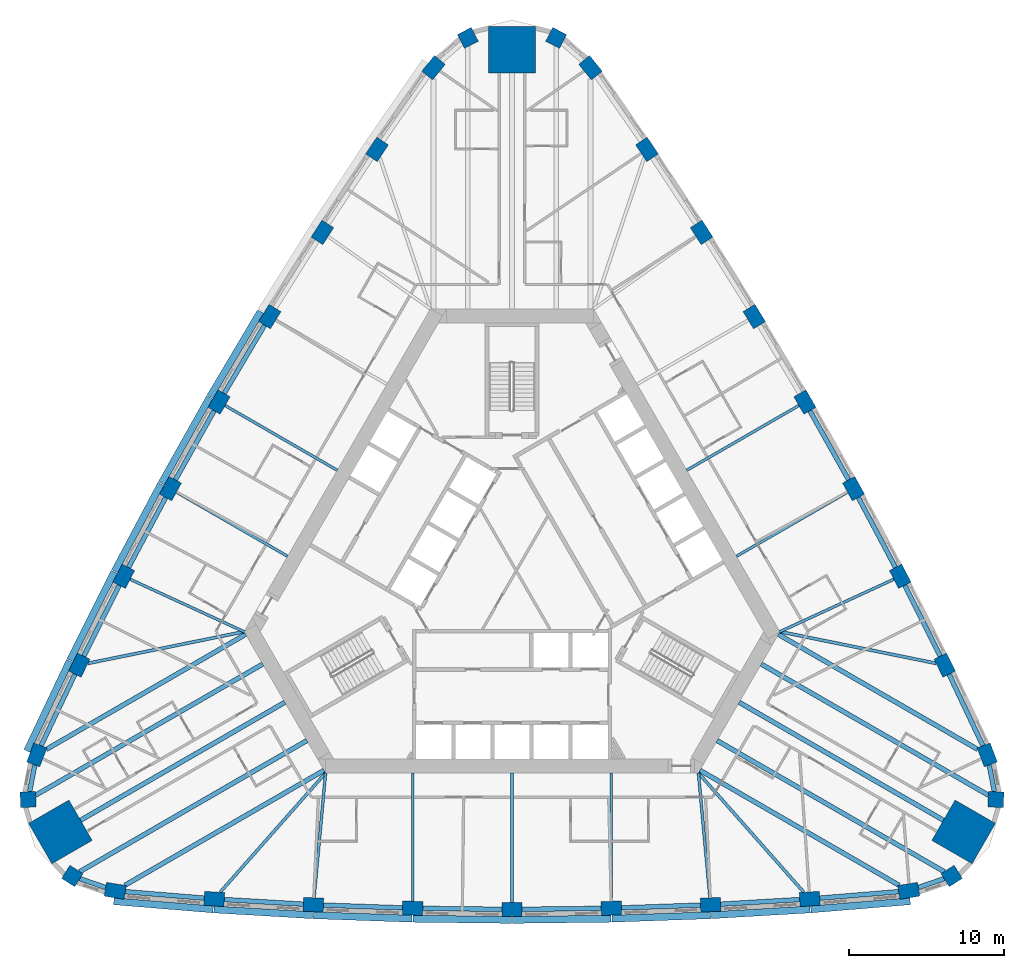
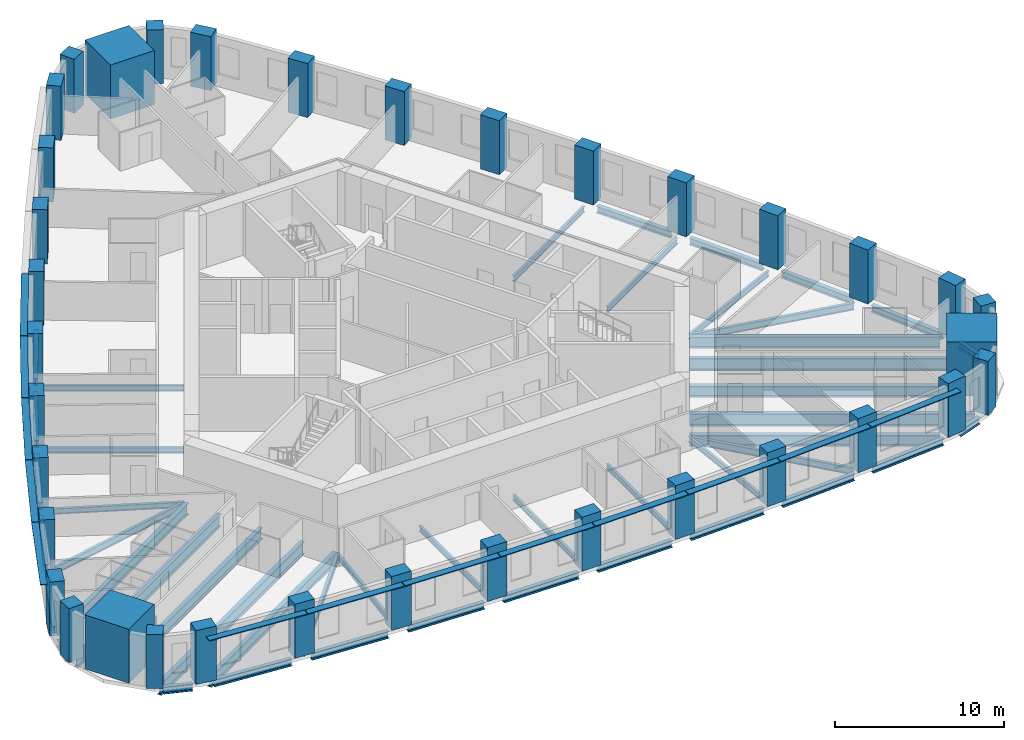
# One storey, part 1 of 12: 46 beams, 36 columns, 13 members.
"""IFC4 building model written with IfcOpenShell, lengths in metres."""

from ifc_helpers import new_model, si_unit, direction, frame, origin, origin_2d, place, context, subcontext, project, spatial, rectangle, i_section, extrude, material, material_profile, profile_set, type_object, element, save


model = new_model("IFC4")

# Units and contexts
model_context = context("Model", 3, precision=1e-05, world=origin(), true_north=direction((0.0, 1.0)))
body_context = subcontext(model_context, "Body", "Model", "MODEL_VIEW")
ifc_project = project(units=[si_unit("LENGTHUNIT", "METRE"), si_unit("AREAUNIT", "SQUARE_METRE"), si_unit("VOLUMEUNIT", "CUBIC_METRE"), si_unit("PLANEANGLEUNIT", "RADIAN"), si_unit("MASSUNIT", "GRAM", prefix="KILO")], contexts=[model_context])

# Site, building, storey
site_placement = place(None, origin())
site = spatial("IfcSite", under=ifc_project, at=site_placement, CompositionType="ELEMENT")
building_placement = place(site_placement, origin())
building = spatial("IfcBuilding", under=site, at=building_placement, Name="Mestral Congress Tower", CompositionType="ELEMENT")
storey_placement = place(building_placement, frame((0.0, 0.0, 118.800048828125)))
storey = spatial("IfcBuildingStorey", under=building, at=storey_placement, Name="L28", CompositionType="ELEMENT", Elevation=118.800048828125)

# Columns
ifc_material_1 = material(Name="Concrete C70/85", Category="concrete")
ifc_material_profile_1 = material_profile(ifc_material_1, rectangle(XDim=1.0, YDim=1.0, at=origin_2d()), Name="RC 1000x1000")
ifc_profile_set_1 = profile_set([ifc_material_profile_1], Name="Concrete C70/85")
column_type_1 = type_object("IfcColumnType", Name="Column RC 1000x1000 C70/85", PredefinedType="COLUMN", material=ifc_profile_set_1)
for number, where, z_axis, x_axis, name in (
    (1, (28.331298828125, -19.642822265625, 0.0), (0.0, 0.0, 1.0), (0.841700252504, 0.53994507585, 0.0), "COL-L28-C2-SE1"),
    (2, (31.1767578125, -14.714111328125, 0.0), (0.0, 0.0, 1.0), (0.046756026083, 0.998906338965, 0.0), "COL-L28-C2-SE3"),
    (3, (2.845703125, 34.35693359375, 0.0), (0.0, 0.0, 1.0), (-0.888456278587, 0.458961263115, 0.0), "COL-L28-C2-N1"),
    (4, (-2.845703125, 34.35693359375, 0.0), (0.0, 0.0, 1.0), (-0.888456278587, -0.458961263115, 0.0), "COL-L28-C2-N3"),
    (5, (-31.1767578125, -14.714111328125, 0.0), (0.0, 0.0, 1.0), (0.046756026083, -0.998906338965, 0.0), "COL-L28-C2-SW1"),
    (6, (-28.331298828125, -19.642822265625, 0.0), (0.0, 0.0, 1.0), (0.841700252504, -0.53994507585, 0.0), "COL-L28-C2-SW3"),
):
    element("IfcColumn", number, at=place(storey_placement, frame(where, z_axis=z_axis, x_axis=x_axis)), inside=storey, type_object=column_type_1, Name=name, PredefinedType="COLUMN", context=body_context, shape_type="SweptSolid", body=[
        extrude(rectangle(XDim=1.0, YDim=1.0, at=origin_2d()), origin(), (0.0, 0.0, 1.0), 3.89990234375),
    ])
ifc_material_profile_2 = material_profile(ifc_material_1, rectangle(XDim=1.300048828125, YDim=0.89990234375, at=origin_2d()), Name="RC 1300x900")
ifc_profile_set_2 = profile_set([ifc_material_profile_2], Name="Concrete C70/85")
column_type_2 = type_object("IfcColumnType", Name="Column RC 1300x900 C70/85", PredefinedType="COLUMN", material=ifc_profile_set_2)
for number, where, z_axis, x_axis, name in (
    (7, (-25.562744140625, -20.59716796875, 0.0), (0.0, 0.0, 1.0), (0.987202314361, -0.159472851987, 0.0), "COL-L28-C2-S00"),
    (8, (-19.184326171875, -21.120361328125, 0.0), (0.0, 0.0, 1.0), (0.997539884588, -0.07010120296, 0.0), "COL-L28-C2-S01"),
    (9, (-12.79541015625, -21.494384765625, 0.0), (0.0, 0.0, 1.0), (0.998906338965, -0.046756026083, 0.0), "COL-L28-C2-S02"),
    (10, (-6.3994140625, -21.71875, 0.0), (0.0, 0.0, 1.0), (0.99972656776, -0.023383535144, 0.0), "COL-L28-C2-S03"),
    (11, (0.0, -21.793701171875, 0.0), (0.0, 0.0, 1.0), (1.0, 0.0, 0.0), "COL-L28-C2-S04"),
    (12, (6.3994140625, -21.71875, 0.0), (0.0, 0.0, 1.0), (0.99972656776, 0.023383535144, 0.0), "COL-L28-C2-S05"),
    (13, (12.79541015625, -21.494384765625, 0.0), (0.0, 0.0, 1.0), (0.998906338965, 0.046756026083, 0.0), "COL-L28-C2-S06"),
    (14, (19.184326171875, -21.120361328125, 0.0), (0.0, 0.0, 1.0), (0.997539884588, 0.07010120296, 0.0), "COL-L28-C2-S07"),
    (15, (25.562744140625, -20.59716796875, 0.0), (0.0, 0.0, 1.0), (0.987202314361, 0.159472851987, 0.0), "COL-L28-C2-S08"),
    (16, (30.618896484375, -11.83935546875, 0.0), (0.0, 0.0, 1.0), (-0.355493616145, 0.934678708905, 0.0), "COL-L28-C2-E00"),
    (17, (27.8828125, -6.0537109375, 0.0), (0.0, 0.0, 1.0), (-0.438060519695, 0.898945482821, 0.0), "COL-L28-C2-E01"),
    (18, (25.01220703125, -0.333984375, 0.0), (0.0, 0.0, 1.0), (-0.458961263115, 0.888456278587, 0.0), "COL-L28-C2-E02"),
    (19, (22.0087890625, 5.3173828125, 0.0), (0.0, 0.0, 1.0), (-0.479612548415, 0.87748037209, 0.0), "COL-L28-C2-E03"),
    (20, (18.873779296875, 10.896728515625, 0.0), (0.0, 0.0, 1.0), (-0.5, 0.866025403784, 0.0), "COL-L28-C2-E04"),
    (21, (15.609375, 16.401611328125, 0.0), (0.0, 0.0, 1.0), (-0.520114019344, 0.854096836946, 0.0), "COL-L28-C2-E05"),
    (22, (12.217041015625, 21.828369140625, 0.0), (0.0, 0.0, 1.0), (-0.53994507585, 0.841700252504, 0.0), "COL-L28-C2-E06"),
    (23, (8.69873046875, 27.17431640625, 0.0), (0.0, 0.0, 1.0), (-0.559479364893, 0.828844279861, 0.0), "COL-L28-C2-E07"),
    (24, (5.056396484375, 32.4365234375, 0.0), (0.0, 0.0, 1.0), (-0.631708698215, 0.775205856918, 0.0), "COL-L28-C2-E08"),
    (25, (-5.056396484375, 32.4365234375, 0.0), (0.0, 0.0, 1.0), (-0.631708698215, -0.775205856918, 0.0), "COL-L28-C2-W00"),
    (26, (-8.69873046875, 27.17431640625, 0.0), (0.0, 0.0, 1.0), (-0.559479364893, -0.828844279861, 0.0), "COL-L28-C2-W01"),
    (27, (-12.217041015625, 21.828369140625, 0.0), (0.0, 0.0, 1.0), (-0.53994507585, -0.841700252504, 0.0), "COL-L28-C2-W02"),
    (28, (-15.609375, 16.401611328125, 0.0), (0.0, 0.0, 1.0), (-0.520114019344, -0.854096836946, 0.0), "COL-L28-C2-W03"),
    (29, (-18.873779296875, 10.896728515625, 0.0), (0.0, 0.0, 1.0), (-0.5, -0.866025403784, 0.0), "COL-L28-C2-W04"),
    (30, (-22.0087890625, 5.3173828125, 0.0), (0.0, 0.0, 1.0), (-0.479612548415, -0.87748037209, 0.0), "COL-L28-C2-W05"),
    (31, (-25.01220703125, -0.333984375, 0.0), (0.0, 0.0, 1.0), (-0.458961263115, -0.888456278587, 0.0), "COL-L28-C2-W06"),
    (32, (-27.8828125, -6.0537109375, 0.0), (0.0, 0.0, 1.0), (-0.438060519695, -0.898945482821, 0.0), "COL-L28-C2-W07"),
    (33, (-30.618896484375, -11.83935546875, 0.0), (0.0, 0.0, 1.0), (-0.355493616145, -0.934678708905, 0.0), "COL-L28-C2-W08"),
):
    element("IfcColumn", number, at=place(storey_placement, frame(where, z_axis=z_axis, x_axis=x_axis)), inside=storey, type_object=column_type_2, Name=name, PredefinedType="COLUMN", context=body_context, shape_type="SweptSolid", body=[
        extrude(rectangle(XDim=1.300048828125, YDim=0.89990234375, at=origin_2d()), origin(), (0.0, 0.0, 1.0), 3.89990234375),
    ])
ifc_material_2 = material(Name="Concrete C80/95", Category="concrete")
ifc_material_profile_3 = material_profile(ifc_material_2, rectangle(XDim=3.0, YDim=3.0, at=origin_2d()), Name="RC 3000x3000")
ifc_profile_set_3 = profile_set([ifc_material_profile_3], Name="Concrete C80/95")
column_type_3 = type_object("IfcColumnType", Name="Mega column RC 3000x3000 C80/95", PredefinedType="COLUMN", material=ifc_profile_set_3)
for number, where, z_axis, x_axis, name in (
    (34, (29.09716796875, -16.79931640625, 0.0), (0.0, 0.0, 1.0), (0.866025403784, -0.5, 0.0), "COL-L28-PY2-SE"),
    (35, (0.0, 33.598388671875, 0.0), (0.0, 0.0, 1.0), (0.0, 1.0, 0.0), "COL-L28-PY2-N"),
    (36, (-29.09716796875, -16.79931640625, 0.0), (0.0, 0.0, 1.0), (-0.866025403784, -0.5, 0.0), "COL-L28-PY2-SW"),
):
    element("IfcColumn", number, at=place(storey_placement, frame(where, z_axis=z_axis, x_axis=x_axis)), inside=storey, type_object=column_type_3, Name=name, PredefinedType="COLUMN", context=body_context, shape_type="SweptSolid", body=[
        extrude(rectangle(XDim=3.0, YDim=3.0, at=origin_2d()), origin(), (0.0, 0.0, 1.0), 3.89990234375),
    ])

# Members
ifc_material_3 = material(Name="Glazed ceramic", Category="masonry")
ifc_material_profile_4 = material_profile(ifc_material_3, rectangle(XDim=0.449951171875, YDim=0.06005859375, at=origin_2d()), Name="Ceramic blade 450 x 60")
ifc_profile_set_4 = profile_set([ifc_material_profile_4], Name="Glazed ceramic")
member_type = type_object("IfcMemberType", Name="Facade sunshade blade 450 x 60", PredefinedType="USERDEFINED", material=ifc_profile_set_4)
member_1_placement = place(storey_placement, frame((-25.654296875, -21.266845703125, 3.280029296875), z_axis=(0.996650616323, -0.081777435656, 0.0), x_axis=(0.081777435656, 0.996650616323, 0.0)))
element("IfcMember", 37, at=member_1_placement, inside=storey, type_object=member_type, Name="Sunshade F0-00", ObjectType="SUNSHADE", PredefinedType="USERDEFINED", context=body_context, shape_type="SweptSolid", body=[
    extrude(rectangle(XDim=0.449951171875, YDim=0.06005859375, at=origin_2d()), origin(), (0.0, 0.0, 1.0), 6.421630859375),
])
for number, where, z_axis, x_axis, name in (
    (38, (-19.208984375, -21.795166015625, 3.280029296875), (0.998292825409, -0.05840748871, 0.0), (0.05840748871, 0.998292825409, 0.0), "Sunshade F0-01"),
    (39, (-12.80419921875, -22.16943359375, 3.280029296875), (0.999384970229, -0.035066811664, 0.0), (0.035066811664, 0.999384970229, 0.0), "Sunshade F0-02"),
    (40, (-6.392578125, -22.393798828125, 3.280029296875), (0.999931231966, -0.011727375608, 0.0), (0.011727375608, 0.999931231966, 0.0), "Sunshade F0-03"),
    (41, (0.022705078125, -22.468505859375, 3.280029296875), (0.999931231966, 0.011727375608, 0.0), (-0.011727375608, 0.999931231966, 0.0), "Sunshade F0-04"),
    (42, (6.437744140625, -22.392822265625, 3.280029296875), (0.999384970229, 0.035066811664, 0.0), (-0.035066811664, 0.999384970229, 0.0), "Sunshade F0-05"),
    (43, (12.849609375, -22.167236328125, 3.280029296875), (0.998292825409, 0.05840748871, 0.0), (-0.05840748871, 0.998292825409, 0.0), "Sunshade F0-06"),
):
    element("IfcMember", number, at=place(storey_placement, frame(where, z_axis=z_axis, x_axis=x_axis)), inside=storey, type_object=member_type, Name=name, ObjectType="SUNSHADE", PredefinedType="USERDEFINED", context=body_context, shape_type="SweptSolid", body=[
        extrude(rectangle(XDim=0.449951171875, YDim=0.06005859375, at=origin_2d()), origin(), (0.0, 0.0, 1.0), 6.370361328125),
    ])
member_2_placement = place(storey_placement, frame((19.254150390625, -21.7919921875, 3.280029296875), z_axis=(0.996650616323, 0.081777435656, 0.0), x_axis=(-0.081777435656, 0.996650616323, 0.0)))
element("IfcMember", 44, at=member_2_placement, inside=storey, type_object=member_type, Name="Sunshade F0-07", ObjectType="SUNSHADE", PredefinedType="USERDEFINED", context=body_context, shape_type="SweptSolid", body=[
    extrude(rectangle(XDim=0.449951171875, YDim=0.06005859375, at=origin_2d()), origin(), (0.0, 0.0, 1.0), 6.421630859375),
])
for number, where, z_axis, x_axis, name in (
    (45, (-16.197509765625, 16.733154296875, 3.280029296875), (-0.510098606231, -0.86011592935, 0.0), (0.86011592935, -0.510098606231, 0.0), "Sunshade F2-03"),
    (46, (-19.469482421875, 11.214599609375, 3.280029296875), (-0.489860886888, -0.871800614531, 0.0), (0.871800614531, -0.489860886888, 0.0), "Sunshade F2-04"),
    (47, (-22.61181640625, 5.62109375, 3.280029296875), (-0.469318672425, -0.883028869128, 0.0), (0.883028869128, -0.469318672425, 0.0), "Sunshade F2-05"),
):
    element("IfcMember", number, at=place(storey_placement, frame(where, z_axis=z_axis, x_axis=x_axis)), inside=storey, type_object=member_type, Name=name, ObjectType="SUNSHADE", PredefinedType="USERDEFINED", context=body_context, shape_type="SweptSolid", body=[
        extrude(rectangle(XDim=0.449951171875, YDim=0.06005859375, at=origin_2d()), origin(), (0.0, 0.0, 1.0), 6.370361328125),
    ])
member_3_placement = place(storey_placement, frame((-25.622314453125, -0.04443359375, 3.280029296875), z_axis=(-0.448531530965, -0.893767008638, 0.0), x_axis=(0.893767008638, -0.448531530965, 0.0)))
element("IfcMember", 48, at=member_3_placement, inside=storey, type_object=member_type, Name="Sunshade F2-06", ObjectType="SUNSHADE", PredefinedType="USERDEFINED", context=body_context, shape_type="SweptSolid", body=[
    extrude(rectangle(XDim=0.449951171875, YDim=0.06005859375, at=origin_2d()), origin(), (0.0, 0.0, 1.0), 6.3701171875),
])
member_4_placement = place(storey_placement, frame((-28.49951171875, -5.778564453125, 3.280029296875), z_axis=(-0.427519164001, -0.904006285604, 0.0), x_axis=(0.904006285604, -0.427519164001, 0.0)))
element("IfcMember", 49, at=member_4_placement, inside=storey, type_object=member_type, Name="Sunshade F2-07", ObjectType="SUNSHADE", PredefinedType="USERDEFINED", context=body_context, shape_type="SweptSolid", body=[
    extrude(rectangle(XDim=0.449951171875, YDim=0.06005859375, at=origin_2d()), origin(), (0.0, 0.0, 1.0), 6.421630859375),
])

# Beams
ifc_material_4 = material(Name="Steel S355", Category="steel")
ifc_material_profile_5 = material_profile(ifc_material_4, i_section(OverallWidth=0.300048828125, OverallDepth=0.800048828125, WebThickness=0.017578125, FlangeThickness=0.032958984375, FilletRadius=0.030029296875, at=origin_2d()), Name="HEB 800")
ifc_profile_set_5 = profile_set([ifc_material_profile_5], Name="Steel S355")
beam_type_1 = type_object("IfcBeamType", Name="Floor beam HEB 800 S355", PredefinedType="BEAM", material=ifc_profile_set_5)
for number, where, z_axis, x_axis, name in (
    (50, (-24.94580078125, -20.240966796875, -0.650146484375), (0.866025146382, 0.500000445834, 0.0), (-0.500000445834, 0.866025146382, 0.0), "BM-L28-RB2-S00"),
    (51, (24.94580078125, -20.240966796875, -0.650146484375), (-0.866025146382, 0.500000445834, 0.0), (-0.500000445834, -0.866025146382, 0.0), "BM-L28-RB2-S08"),
):
    element("IfcBeam", number, at=place(storey_placement, frame(where, z_axis=z_axis, x_axis=x_axis)), inside=storey, type_object=beam_type_1, Name=name, PredefinedType="BEAM", context=body_context, shape_type="SweptSolid", body=[
        extrude(i_section(OverallWidth=0.300048828125, OverallDepth=0.800048828125, WebThickness=0.017578125, FlangeThickness=0.032958984375, FilletRadius=0.030029296875, at=origin_2d()), origin(), (0.0, 0.0, 1.0), 14.82421875),
    ])
beam_1_placement = place(storey_placement, frame((27.798095703125, -16.04931640625, -0.650146484375), z_axis=(-0.866023213189, 0.500003794204, 0.0), x_axis=(-0.500003794204, -0.866023213189, 0.0)))
element("IfcBeam", 52, at=beam_1_placement, inside=storey, type_object=beam_type_1, Name="BM-L28-RB2-SE", PredefinedType="BEAM", context=body_context, shape_type="SweptSolid", body=[
    extrude(i_section(OverallWidth=0.300048828125, OverallDepth=0.800048828125, WebThickness=0.017578125, FlangeThickness=0.032958984375, FilletRadius=0.030029296875, at=origin_2d()), origin(), (0.0, 0.0, 1.0), 15.19873046875),
])
for number, where, z_axis, x_axis, name in (
    (53, (30.002197265625, -11.483154296875, -0.650146484375), (-0.866025146382, 0.500000445834, 0.0), (-0.500000445834, -0.866025146382, 0.0), "BM-L28-RB2-E00"),
    (54, (-30.002197265625, -11.483154296875, -0.650146484375), (0.866025146382, 0.500000445834, 0.0), (-0.500000445834, 0.866025146382, 0.0), "BM-L28-RB2-W08"),
):
    element("IfcBeam", number, at=place(storey_placement, frame(where, z_axis=z_axis, x_axis=x_axis)), inside=storey, type_object=beam_type_1, Name=name, PredefinedType="BEAM", context=body_context, shape_type="SweptSolid", body=[
        extrude(i_section(OverallWidth=0.300048828125, OverallDepth=0.800048828125, WebThickness=0.017578125, FlangeThickness=0.032958984375, FilletRadius=0.030029296875, at=origin_2d()), origin(), (0.0, 0.0, 1.0), 14.82421875),
    ])
beam_2_placement = place(storey_placement, frame((-27.798095703125, -16.04931640625, -0.650146484375), z_axis=(0.866023213189, 0.500003794204, 0.0), x_axis=(-0.500003794204, 0.866023213189, 0.0)))
element("IfcBeam", 55, at=beam_2_placement, inside=storey, type_object=beam_type_1, Name="BM-L28-RB2-SW", PredefinedType="BEAM", context=body_context, shape_type="SweptSolid", body=[
    extrude(i_section(OverallWidth=0.300048828125, OverallDepth=0.800048828125, WebThickness=0.017578125, FlangeThickness=0.032958984375, FilletRadius=0.030029296875, at=origin_2d()), origin(), (0.0, 0.0, 1.0), 15.19873046875),
])
ifc_material_profile_6 = material_profile(ifc_material_4, i_section(OverallWidth=0.300048828125, OverallDepth=0.89990234375, WebThickness=0.0185546875, FlangeThickness=0.034912109375, FilletRadius=0.030029296875, at=origin_2d()), Name="HEB 900")
ifc_profile_set_6 = profile_set([ifc_material_profile_6], Name="Steel S355")
beam_type_2 = type_object("IfcBeamType", Name="Floor beam HEB 900 S355", PredefinedType="BEAM", material=ifc_profile_set_6)
beam_3_placement = place(storey_placement, frame((27.84375, -19.361328125, -0.699951171875), z_axis=(-0.866024587677, 0.500001413537, 0.0), x_axis=(-0.500001413537, -0.866024587677, 0.0)))
element("IfcBeam", 56, at=beam_3_placement, inside=storey, type_object=beam_type_2, Name="BM-L28-RB2-SE1", PredefinedType="BEAM", context=body_context, shape_type="SweptSolid", body=[
    extrude(i_section(OverallWidth=0.300048828125, OverallDepth=0.89990234375, WebThickness=0.0185546875, FlangeThickness=0.034912109375, FilletRadius=0.030029296875, at=origin_2d()), origin(), (0.0, 0.0, 1.0), 16.89404296875),
])
for number, where, z_axis, x_axis, name in (
    (57, (30.689453125, -14.4326171875, -0.699951171875), (-0.866028200461, 0.499995155983, 0.0), (-0.499995155983, -0.866028200461, 0.0), "BM-L28-RB2-SE3"),
    (58, (-30.689453125, -14.4326171875, -0.699951171875), (0.866028200461, 0.499995155983, 0.0), (-0.499995155983, 0.866028200461, 0.0), "BM-L28-RB2-SW1"),
):
    element("IfcBeam", number, at=place(storey_placement, frame(where, z_axis=z_axis, x_axis=x_axis)), inside=storey, type_object=beam_type_2, Name=name, PredefinedType="BEAM", context=body_context, shape_type="SweptSolid", body=[
        extrude(i_section(OverallWidth=0.300048828125, OverallDepth=0.89990234375, WebThickness=0.0185546875, FlangeThickness=0.034912109375, FilletRadius=0.030029296875, at=origin_2d()), origin(), (0.0, 0.0, 1.0), 16.894287109375),
    ])
beam_4_placement = place(storey_placement, frame((-27.84375, -19.361328125, -0.699951171875), z_axis=(0.866024587677, 0.500001413537, 0.0), x_axis=(-0.500001413537, 0.866024587677, 0.0)))
element("IfcBeam", 59, at=beam_4_placement, inside=storey, type_object=beam_type_2, Name="BM-L28-RB2-SW3", PredefinedType="BEAM", context=body_context, shape_type="SweptSolid", body=[
    extrude(i_section(OverallWidth=0.300048828125, OverallDepth=0.89990234375, WebThickness=0.0185546875, FlangeThickness=0.034912109375, FilletRadius=0.030029296875, at=origin_2d()), origin(), (0.0, 0.0, 1.0), 16.89404296875),
])
ifc_material_profile_7 = material_profile(ifc_material_4, i_section(OverallWidth=0.179931640625, OverallDepth=0.39990234375, WebThickness=0.008544921875, FlangeThickness=0.013427734375, FilletRadius=0.02099609375, at=origin_2d()), Name="IPE 400")
ifc_profile_set_7 = profile_set([ifc_material_profile_7], Name="Steel S355")
beam_type_3 = type_object("IfcBeamType", Name="Floor beam IPE 400 S355", PredefinedType="BEAM", material=ifc_profile_set_7)
beam_5_placement = place(storey_placement, frame((-12.753662109375, -21.0458984375, -0.449951171875), z_axis=(0.092183786594, 0.995742009503, 0.0), x_axis=(-0.995742009503, 0.092183786594, 0.0)))
element("IfcBeam", 60, at=beam_5_placement, inside=storey, type_object=beam_type_3, Name="BM-L28-RB2-S02", PredefinedType="BEAM", context=body_context, shape_type="SweptSolid", body=[
    extrude(i_section(OverallWidth=0.179931640625, OverallDepth=0.39990234375, WebThickness=0.008544921875, FlangeThickness=0.013427734375, FilletRadius=0.02099609375, at=origin_2d()), origin(), (0.0, 0.0, 1.0), 8.080322265625),
])
beam_6_placement = place(storey_placement, frame((-6.3994140625, -21.268798828125, -0.449951171875), z_axis=(0.0, 1.0, 0.0), x_axis=(-1.0, 0.0, 0.0)))
element("IfcBeam", 61, at=beam_6_placement, inside=storey, type_object=beam_type_3, Name="BM-L28-RB2-S03", PredefinedType="BEAM", context=body_context, shape_type="SweptSolid", body=[
    extrude(i_section(OverallWidth=0.179931640625, OverallDepth=0.39990234375, WebThickness=0.008544921875, FlangeThickness=0.013427734375, FilletRadius=0.02099609375, at=origin_2d()), origin(), (0.0, 0.0, 1.0), 8.268798828125),
])
beam_7_placement = place(storey_placement, frame((0.0, -21.343505859375, -0.449951171875), z_axis=(0.0, 1.0, 0.0), x_axis=(-1.0, 0.0, 0.0)))
element("IfcBeam", 62, at=beam_7_placement, inside=storey, type_object=beam_type_3, Name="BM-L28-RB2-S04", PredefinedType="BEAM", context=body_context, shape_type="SweptSolid", body=[
    extrude(i_section(OverallWidth=0.179931640625, OverallDepth=0.39990234375, WebThickness=0.008544921875, FlangeThickness=0.013427734375, FilletRadius=0.02099609375, at=origin_2d()), origin(), (0.0, 0.0, 1.0), 8.343505859375),
])
beam_8_placement = place(storey_placement, frame((6.3994140625, -21.268798828125, -0.449951171875), z_axis=(0.0, 1.0, 0.0), x_axis=(-1.0, 0.0, 0.0)))
element("IfcBeam", 63, at=beam_8_placement, inside=storey, type_object=beam_type_3, Name="BM-L28-RB2-S05", PredefinedType="BEAM", context=body_context, shape_type="SweptSolid", body=[
    extrude(i_section(OverallWidth=0.179931640625, OverallDepth=0.39990234375, WebThickness=0.008544921875, FlangeThickness=0.013427734375, FilletRadius=0.02099609375, at=origin_2d()), origin(), (0.0, 0.0, 1.0), 8.268798828125),
])
beam_9_placement = place(storey_placement, frame((12.753662109375, -21.0458984375, -0.449951171875), z_axis=(-0.092183786594, 0.995742009503, 0.0), x_axis=(-0.995742009503, -0.092183786594, 0.0)))
element("IfcBeam", 64, at=beam_9_placement, inside=storey, type_object=beam_type_3, Name="BM-L28-RB2-S06", PredefinedType="BEAM", context=body_context, shape_type="SweptSolid", body=[
    extrude(i_section(OverallWidth=0.179931640625, OverallDepth=0.39990234375, WebThickness=0.008544921875, FlangeThickness=0.013427734375, FilletRadius=0.02099609375, at=origin_2d()), origin(), (0.0, 0.0, 1.0), 8.080322265625),
])
beam_10_placement = place(storey_placement, frame((24.60302734375, -0.522216796875, -0.449951171875), z_axis=(-0.908437217841, -0.418021316731, 0.0), x_axis=(0.418021316731, -0.908437217841, 0.0)))
element("IfcBeam", 65, at=beam_10_placement, inside=storey, type_object=beam_type_3, Name="BM-L28-RB2-E02", PredefinedType="BEAM", context=body_context, shape_type="SweptSolid", body=[
    extrude(i_section(OverallWidth=0.179931640625, OverallDepth=0.39990234375, WebThickness=0.008544921875, FlangeThickness=0.013427734375, FilletRadius=0.02099609375, at=origin_2d()), origin(), (0.0, 0.0, 1.0), 8.080078125),
])
beam_11_placement = place(storey_placement, frame((21.618896484375, 5.09228515625, -0.449951171875), z_axis=(-0.866028737439, -0.499994225897, 0.0), x_axis=(0.499994225897, -0.866028737439, 0.0)))
element("IfcBeam", 66, at=beam_11_placement, inside=storey, type_object=beam_type_3, Name="BM-L28-RB2-E03", PredefinedType="BEAM", context=body_context, shape_type="SweptSolid", body=[
    extrude(i_section(OverallWidth=0.179931640625, OverallDepth=0.39990234375, WebThickness=0.008544921875, FlangeThickness=0.013427734375, FilletRadius=0.02099609375, at=origin_2d()), origin(), (0.0, 0.0, 1.0), 8.2685546875),
])
for number, where, z_axis, x_axis, name in (
    (67, (18.484130859375, 10.671875, -0.449951171875), (-0.86602332482, -0.500003600855, 0.0), (0.500003600855, -0.86602332482, 0.0), "BM-L28-RB2-E04"),
    (68, (-18.484130859375, 10.671875, -0.449951171875), (0.86602332482, -0.500003600855, 0.0), (0.500003600855, 0.86602332482, 0.0), "BM-L28-RB2-W04"),
):
    element("IfcBeam", number, at=place(storey_placement, frame(where, z_axis=z_axis, x_axis=x_axis)), inside=storey, type_object=beam_type_3, Name=name, PredefinedType="BEAM", context=body_context, shape_type="SweptSolid", body=[
        extrude(i_section(OverallWidth=0.179931640625, OverallDepth=0.39990234375, WebThickness=0.008544921875, FlangeThickness=0.013427734375, FilletRadius=0.02099609375, at=origin_2d()), origin(), (0.0, 0.0, 1.0), 8.34375),
    ])
beam_12_placement = place(storey_placement, frame((-21.618896484375, 5.09228515625, -0.449951171875), z_axis=(0.866028737439, -0.499994225897, 0.0), x_axis=(0.499994225897, 0.866028737439, 0.0)))
element("IfcBeam", 69, at=beam_12_placement, inside=storey, type_object=beam_type_3, Name="BM-L28-RB2-W05", PredefinedType="BEAM", context=body_context, shape_type="SweptSolid", body=[
    extrude(i_section(OverallWidth=0.179931640625, OverallDepth=0.39990234375, WebThickness=0.008544921875, FlangeThickness=0.013427734375, FilletRadius=0.02099609375, at=origin_2d()), origin(), (0.0, 0.0, 1.0), 8.2685546875),
])
beam_13_placement = place(storey_placement, frame((-24.60302734375, -0.522216796875, -0.449951171875), z_axis=(0.908437217841, -0.418021316731, 0.0), x_axis=(0.418021316731, 0.908437217841, 0.0)))
element("IfcBeam", 70, at=beam_13_placement, inside=storey, type_object=beam_type_3, Name="BM-L28-RB2-W06", PredefinedType="BEAM", context=body_context, shape_type="SweptSolid", body=[
    extrude(i_section(OverallWidth=0.179931640625, OverallDepth=0.39990234375, WebThickness=0.008544921875, FlangeThickness=0.013427734375, FilletRadius=0.02099609375, at=origin_2d()), origin(), (0.0, 0.0, 1.0), 8.080078125),
])
ifc_material_profile_8 = material_profile(ifc_material_4, i_section(OverallWidth=0.199951171875, OverallDepth=0.5, WebThickness=0.01025390625, FlangeThickness=0.01611328125, FilletRadius=0.02099609375, at=origin_2d()), Name="IPE 500")
ifc_profile_set_8 = profile_set([ifc_material_profile_8], Name="Steel S355")
beam_type_4 = type_object("IfcBeamType", Name="Floor beam IPE 500 S355", PredefinedType="BEAM", material=ifc_profile_set_8)
for number, where, z_axis, x_axis, name in (
    (71, (-18.80908203125, -20.695556640625, -0.5), (0.662174203587, 0.749349934346, 0.0), (-0.749349934346, 0.662174203587, 0.0), "BM-L28-RB2-S01"),
    (72, (18.80908203125, -20.695556640625, -0.5), (-0.662174203587, 0.749349934346, 0.0), (-0.749349934346, -0.662174203587, 0.0), "BM-L28-RB2-S07"),
    (73, (27.327392578125, -5.941162109375, -0.5), (-0.980046767137, 0.198767035052, 0.0), (-0.198767035052, -0.980046767137, 0.0), "BM-L28-RB2-E01"),
    (74, (-27.327392578125, -5.941162109375, -0.5), (0.980046767137, 0.198767035052, 0.0), (-0.198767035052, 0.980046767137, 0.0), "BM-L28-RB2-W07"),
):
    element("IfcBeam", number, at=place(storey_placement, frame(where, z_axis=z_axis, x_axis=x_axis)), inside=storey, type_object=beam_type_4, Name=name, PredefinedType="BEAM", context=body_context, shape_type="SweptSolid", body=[
        extrude(i_section(OverallWidth=0.199951171875, OverallDepth=0.5, WebThickness=0.01025390625, FlangeThickness=0.01611328125, FilletRadius=0.02099609375, at=origin_2d()), origin(), (0.0, 0.0, 1.0), 10.26953125),
    ])
ifc_material_profile_9 = material_profile(ifc_material_4, i_section(OverallWidth=0.300048828125, OverallDepth=0.489990234375, WebThickness=0.011962890625, FlangeThickness=0.02294921875, FilletRadius=0.027099609375, at=origin_2d()), Name="HEA 500")
ifc_profile_set_9 = profile_set([ifc_material_profile_9], Name="Steel S355")
beam_type_5 = type_object("IfcBeamType", Name="Spandrel beam HEA 500 S355", PredefinedType="BEAM", material=ifc_profile_set_9)
beam_14_placement = place(storey_placement, frame((-24.912841796875, -20.650390625, -0.4951171875), z_axis=(0.996652597162, -0.081753290887, 0.0), x_axis=(0.081753290887, 0.996652597162, 0.0)))
element("IfcBeam", 75, at=beam_14_placement, inside=storey, type_object=beam_type_5, Name="SP-L28-SB2-S00", PredefinedType="BEAM", context=body_context, shape_type="SweptSolid", body=[
    extrude(i_section(OverallWidth=0.300048828125, OverallDepth=0.489990234375, WebThickness=0.011962890625, FlangeThickness=0.02294921875, FilletRadius=0.027099609375, at=origin_2d()), origin(), (0.0, 0.0, 1.0), 5.09765625),
])
for number, where, z_axis, x_axis, name in (
    (76, (-18.535400390625, -21.158447265625, -0.4951171875), (0.998292976718, -0.058404902489, 0.0), (0.058404902489, 0.998292976718, 0.0), "SP-L28-SB2-S01"),
    (77, (-12.145751953125, -21.51708984375, -0.4951171875), (0.999384139945, -0.035090466305, 0.0), (0.035090466305, 0.999384139945, 0.0), "SP-L28-SB2-S02"),
    (78, (-5.74951171875, -21.726318359375, -0.4951171875), (0.999931780034, -0.011680551241, 0.0), (0.011680551241, 0.999931780034, 0.0), "SP-L28-SB2-S03"),
    (79, (0.64990234375, -21.785888671875, -0.4951171875), (0.999931780034, 0.011680551241, 0.0), (-0.011680551241, 0.999931780034, 0.0), "SP-L28-SB2-S04"),
    (80, (7.049072265625, -21.696044921875, -0.4951171875), (0.999384139945, 0.035090466305, 0.0), (-0.035090466305, 0.999384139945, 0.0), "SP-L28-SB2-S05"),
    (81, (13.4443359375, -21.456298828125, -0.4951171875), (0.998292976718, 0.058404902489, 0.0), (-0.058404902489, 0.998292976718, 0.0), "SP-L28-SB2-S06"),
):
    element("IfcBeam", number, at=place(storey_placement, frame(where, z_axis=z_axis, x_axis=x_axis)), inside=storey, type_object=beam_type_5, Name=name, PredefinedType="BEAM", context=body_context, shape_type="SweptSolid", body=[
        extrude(i_section(OverallWidth=0.300048828125, OverallDepth=0.489990234375, WebThickness=0.011962890625, FlangeThickness=0.02294921875, FilletRadius=0.027099609375, at=origin_2d()), origin(), (0.0, 0.0, 1.0), 5.099853515625),
    ])
beam_15_placement = place(storey_placement, frame((19.832275390625, -21.067138671875, -0.4951171875), z_axis=(0.996652597162, 0.081753290887, 0.0), x_axis=(-0.081753290887, 0.996652597162, 0.0)))
element("IfcBeam", 82, at=beam_15_placement, inside=storey, type_object=beam_type_5, Name="SP-L28-SB2-S07", PredefinedType="BEAM", context=body_context, shape_type="SweptSolid", body=[
    extrude(i_section(OverallWidth=0.300048828125, OverallDepth=0.489990234375, WebThickness=0.011962890625, FlangeThickness=0.02294921875, FilletRadius=0.027099609375, at=origin_2d()), origin(), (0.0, 0.0, 1.0), 5.09765625),
])
for number, where, z_axis, x_axis, name in (
    (83, (26.186279296875, -20.382080078125, -0.4951171875), (0.945433605893, 0.325814819873, 0.0), (-0.325814819873, 0.945433605893, 0.0), "SP-L28-SB2-S08"),
    (84, (31.078857421875, -14.208984375, -0.4951171875), (-0.190545536928, 0.981678357894, 0.0), (-0.981678357894, -0.190545536928, 0.0), "SP-L28-SB2-SE3"),
):
    element("IfcBeam", number, at=place(storey_placement, frame(where, z_axis=z_axis, x_axis=x_axis)), inside=storey, type_object=beam_type_5, Name=name, PredefinedType="BEAM", context=body_context, shape_type="SweptSolid", body=[
        extrude(i_section(OverallWidth=0.300048828125, OverallDepth=0.489990234375, WebThickness=0.011962890625, FlangeThickness=0.02294921875, FilletRadius=0.027099609375, at=origin_2d()), origin(), (0.0, 0.0, 1.0), 1.754150390625),
    ])
beam_16_placement = place(storey_placement, frame((30.34033203125, -11.25, -0.4951171875), z_axis=(-0.427509849729, 0.904010690415, 0.0), x_axis=(-0.904010690415, -0.427509849729, 0.0)))
element("IfcBeam", 85, at=beam_16_placement, inside=storey, type_object=beam_type_5, Name="SP-L28-SB2-E00", PredefinedType="BEAM", context=body_context, shape_type="SweptSolid", body=[
    extrude(i_section(OverallWidth=0.300048828125, OverallDepth=0.489990234375, WebThickness=0.011962890625, FlangeThickness=0.02294921875, FilletRadius=0.027099609375, at=origin_2d()), origin(), (0.0, 0.0, 1.0), 5.097900390625),
])
for number, where, z_axis, x_axis, name in (
    (86, (27.59130859375, -5.472900390625, -0.4951171875), (-0.448515247182, 0.89377518037, 0.0), (-0.89377518037, -0.448515247182, 0.0), "SP-L28-SB2-E01"),
    (87, (24.707275390625, 0.239990234375, -0.4951171875), (-0.469288226496, 0.883045050081, 0.0), (-0.883045050081, -0.469288226496, 0.0), "SP-L28-SB2-E02"),
    (88, (21.6904296875, 5.884033203125, -0.4951171875), (-0.489836148985, 0.871814514187, 0.0), (-0.871814514187, -0.489836148985, 0.0), "SP-L28-SB2-E03"),
    (89, (-15.94091796875, 15.84228515625, -0.4951171875), (-0.510081870963, -0.860125854114, 0.0), (0.860125854114, -0.510081870963, 0.0), "SP-L28-SB2-W03"),
    (90, (-19.1923828125, 10.330078125, -0.4951171875), (-0.489836148985, -0.871814514187, 0.0), (0.871814514187, -0.489836148985, 0.0), "SP-L28-SB2-W04"),
    (91, (-22.31396484375, 4.743408203125, -0.4951171875), (-0.469288226496, -0.883045050081, 0.0), (0.883045050081, -0.469288226496, 0.0), "SP-L28-SB2-W05"),
    (92, (-25.303955078125, -0.914794921875, -0.4951171875), (-0.448515247182, -0.89377518037, 0.0), (0.89377518037, -0.448515247182, 0.0), "SP-L28-SB2-W06"),
):
    element("IfcBeam", number, at=place(storey_placement, frame(where, z_axis=z_axis, x_axis=x_axis)), inside=storey, type_object=beam_type_5, Name=name, PredefinedType="BEAM", context=body_context, shape_type="SweptSolid", body=[
        extrude(i_section(OverallWidth=0.300048828125, OverallDepth=0.489990234375, WebThickness=0.011962890625, FlangeThickness=0.02294921875, FilletRadius=0.027099609375, at=origin_2d()), origin(), (0.0, 0.0, 1.0), 5.099853515625),
    ])
beam_17_placement = place(storey_placement, frame((-28.160888671875, -6.641357421875, -0.4951171875), z_axis=(-0.427509849729, -0.904010690415, 0.0), x_axis=(0.904010690415, -0.427509849729, 0.0)))
element("IfcBeam", 93, at=beam_17_placement, inside=storey, type_object=beam_type_5, Name="SP-L28-SB2-W07", PredefinedType="BEAM", context=body_context, shape_type="SweptSolid", body=[
    extrude(i_section(OverallWidth=0.300048828125, OverallDepth=0.489990234375, WebThickness=0.011962890625, FlangeThickness=0.02294921875, FilletRadius=0.027099609375, at=origin_2d()), origin(), (0.0, 0.0, 1.0), 5.097900390625),
])
for number, where, z_axis, x_axis, name in (
    (94, (-30.74462890625, -12.487060546875, -0.4951171875), (-0.190545536928, -0.981678357894, 0.0), (0.981678357894, -0.190545536928, 0.0), "SP-L28-SB2-W08"),
    (95, (-27.8447265625, -19.810546875, -0.4951171875), (0.945433605893, -0.325814819873, 0.0), (0.325814819873, 0.945433605893, 0.0), "SP-L28-SB2-SW3"),
):
    element("IfcBeam", number, at=place(storey_placement, frame(where, z_axis=z_axis, x_axis=x_axis)), inside=storey, type_object=beam_type_5, Name=name, PredefinedType="BEAM", context=body_context, shape_type="SweptSolid", body=[
        extrude(i_section(OverallWidth=0.300048828125, OverallDepth=0.489990234375, WebThickness=0.011962890625, FlangeThickness=0.02294921875, FilletRadius=0.027099609375, at=origin_2d()), origin(), (0.0, 0.0, 1.0), 1.754150390625),
    ])

save(model, "model.ifc")
